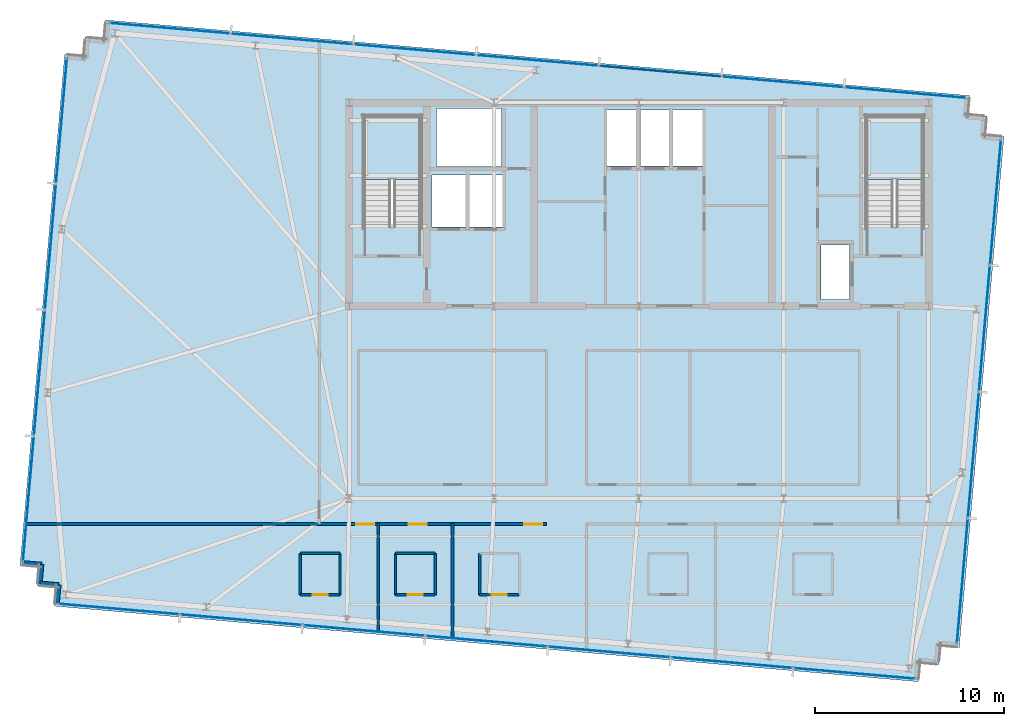
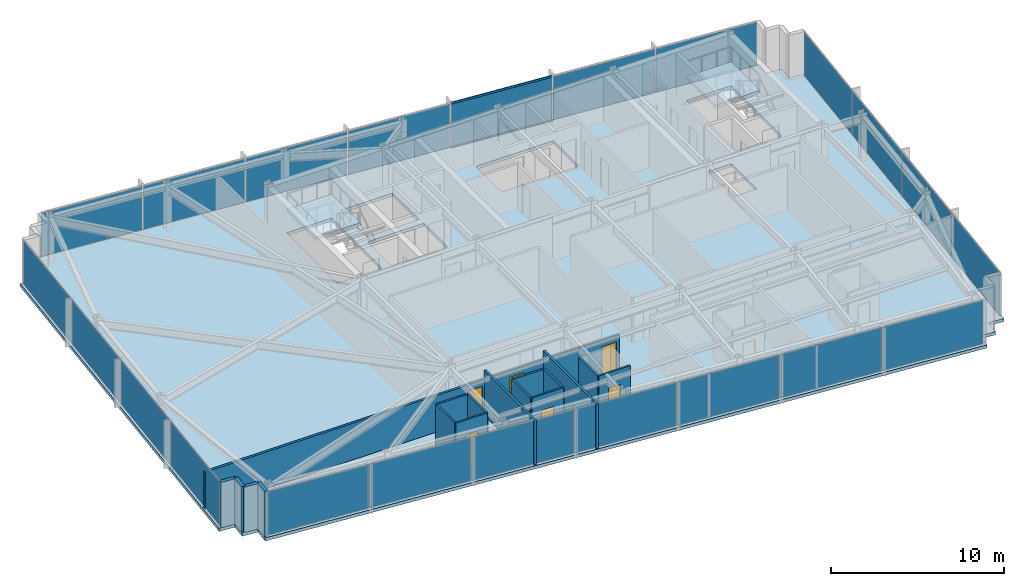
# One storey, part 26 of 33: 22 plates, 17 walls, 6 doors, 3 slabs, 2 members, 6 openings, 6 elements without a shape of their own.
"""IFC4 building model written with IfcOpenShell, lengths in metres."""

from ifc_helpers import new_model, si_unit, direction, frame, frame_2d, origin, origin_2d, place, context, subcontext, project, spatial, polyline, rectangle, hollow_rectangle, outline, extrude, material, layer, layer_set, material_profile, profile_set, type_object, element, fill, aggregate, save


model = new_model("IFC4")

# Units and contexts
model_context = context("Model", 3, precision=1e-05, world=origin(), true_north=direction((0.0, 1.0)))
body_context = subcontext(model_context, "Body", "Model", "MODEL_VIEW")
ifc_project = project(units=[si_unit("LENGTHUNIT", "METRE"), si_unit("AREAUNIT", "SQUARE_METRE"), si_unit("VOLUMEUNIT", "CUBIC_METRE"), si_unit("PLANEANGLEUNIT", "RADIAN"), si_unit("MASSUNIT", "GRAM", prefix="KILO")], contexts=[model_context])

# Site, building, storey
site_placement = place(None, origin())
site = spatial("IfcSite", under=ifc_project, at=site_placement, CompositionType="ELEMENT")
building_placement = place(site_placement, origin())
building = spatial("IfcBuilding", under=site, at=building_placement, Name="Yelkora Congress Tower", CompositionType="ELEMENT")
storey_placement = place(building_placement, frame((0.0, 0.0, 289.699951171875)))
storey = spatial("IfcBuildingStorey", under=building, at=storey_placement, Name="L81", CompositionType="ELEMENT", Elevation=289.699951171875)

# Curtain wall, members
ifc_material_1 = material(Name="Anodised aluminium and insulated glass", Category="aluminium")
curtain_wall_type = type_object("IfcCurtainWallType", Name="CW-SYS-B5", PredefinedType="NOTDEFINED", material=ifc_material_1)
curtain_wall_1_placement = place(storey_placement, origin())
curtain_wall_1 = element("IfcCurtainWall", 1, at=curtain_wall_1_placement, inside=storey, type_object=curtain_wall_type, Name="L81 Unitised Curtain Wall 10", PredefinedType="NOTDEFINED")
ifc_material_2 = material(Name="Anodised aluminium 6063-T6", Category="aluminium")
ifc_material_profile = material_profile(ifc_material_2, hollow_rectangle(XDim=0.06005859375, YDim=0.1298828125, WallThickness=0.00390625, at=origin_2d()), Name="ALU 60x130x4")
ifc_profile_set = profile_set([ifc_material_profile], Name="Anodised aluminium 6063-T6")
member_type = type_object("IfcMemberType", Name="MEM-TR-B5", PredefinedType="USERDEFINED", material=ifc_profile_set)
member_1_placement = place(storey_placement, frame((36.298583984375, 48.14794921875, 0.030029296875), z_axis=(0.996192979814, -0.08717538052, 0.0), x_axis=(0.08717538052, 0.996192979814, 0.0)))
member_1 = element("IfcMember", 2, at=member_1_placement, type_object=member_type, Name="CW-B5 transom 5.1", ObjectType="TRANSOM", PredefinedType="USERDEFINED", context=body_context, shape_type="SweptSolid", body=[
    extrude(hollow_rectangle(XDim=0.06005859375, YDim=0.1298828125, WallThickness=0.00390625, at=origin_2d()), origin(), (0.0, 0.0, 1.0), 6.466552734375),
])
member_2_placement = place(storey_placement, frame((36.298583984375, 48.14794921875, 3.150146484375), z_axis=(0.996192979814, -0.08717538052, 0.0), x_axis=(0.08717538052, 0.996192979814, 0.0)))
member_2 = element("IfcMember", 3, at=member_2_placement, type_object=member_type, Name="CW-B5 transom 5.2", ObjectType="TRANSOM", PredefinedType="USERDEFINED", context=body_context, shape_type="SweptSolid", body=[
    extrude(hollow_rectangle(XDim=0.06005859375, YDim=0.1298828125, WallThickness=0.00390625, at=origin_2d()), origin(), (0.0, 0.0, 1.0), 6.466552734375),
])

# Curtain wall, plates
curtain_wall_2_placement = place(storey_placement, origin())
curtain_wall_2 = element("IfcCurtainWall", 4, at=curtain_wall_2_placement, inside=storey, type_object=curtain_wall_type, Name="L81 Unitised Curtain Wall 5", PredefinedType="NOTDEFINED")
ifc_material_3 = material(Name="High-altitude triple glazed unit B5", Category="glass")
ifc_layer_1 = layer(ifc_material_3, 0.033935546875)
ifc_layer_set_1 = layer_set([ifc_layer_1], Name="High-altitude triple glazed unit B5")
plate_type = type_object("IfcPlateType", Name="PLT-PN-B5", PredefinedType="CURTAIN_PANEL", material=ifc_layer_set_1)
plate_1_placement = place(storey_placement, frame((6.021728515625, 25.16064453125, 0.06005859375), z_axis=(0.0, 0.0, 1.0), x_axis=(0.08715473876, 0.996194785929, 0.0)))
plate_1 = element("IfcPlate", 5, at=plate_1_placement, type_object=plate_type, Name="CW-B5 panel 1.1", PredefinedType="CURTAIN_PANEL", context=body_context, shape_type="SweptSolid", body=[
    extrude(rectangle(XDim=6.632568359375, YDim=0.033935546875, at=origin_2d()), origin(), (0.0, 0.0, 1.0), 3.06005859375),
])
plate_2_placement = place(storey_placement, frame((6.60693359375, 31.848876953125, 0.06005859375), z_axis=(0.0, 0.0, 1.0), x_axis=(0.08715473876, 0.996194785929, 0.0)))
plate_2 = element("IfcPlate", 6, at=plate_2_placement, type_object=plate_type, Name="CW-B5 panel 2.1", PredefinedType="CURTAIN_PANEL", context=body_context, shape_type="SweptSolid", body=[
    extrude(rectangle(XDim=6.6650390625, YDim=0.033935546875, at=origin_2d()), origin(), (0.0, 0.0, 1.0), 3.06005859375),
])
plate_3_placement = place(storey_placement, frame((7.193359375, 38.55322265625, 0.06005859375), z_axis=(0.0, 0.0, 1.0), x_axis=(0.08715473876, 0.996194785929, 0.0)))
plate_3 = element("IfcPlate", 7, at=plate_3_placement, type_object=plate_type, Name="CW-B5 panel 3.1", PredefinedType="CURTAIN_PANEL", context=body_context, shape_type="SweptSolid", body=[
    extrude(rectangle(XDim=6.6650390625, YDim=0.033935546875, at=origin_2d()), origin(), (0.0, 0.0, 1.0), 3.06005859375),
])
plate_4_placement = place(storey_placement, frame((7.778564453125, 45.2412109375, 0.06005859375), z_axis=(0.0, 0.0, 1.0), x_axis=(0.08715473876, 0.996194785929, 0.0)))
plate_4 = element("IfcPlate", 8, at=plate_4_placement, type_object=plate_type, Name="CW-B5 panel 4.1", PredefinedType="CURTAIN_PANEL", context=body_context, shape_type="SweptSolid", body=[
    extrude(rectangle(XDim=6.632568359375, YDim=0.033935546875, at=origin_2d()), origin(), (0.0, 0.0, 1.0), 3.06005859375),
])
aggregate(curtain_wall_2, [plate_1, plate_2, plate_3, plate_4])

# Plate
plate_5_placement = place(storey_placement, frame((13.509521484375, 50.141845703125, 0.06005859375), z_axis=(0.0, 0.0, 1.0), x_axis=(0.996194619601, -0.087156639893, 0.0)))
plate_5 = element("IfcPlate", 9, at=plate_5_placement, type_object=plate_type, Name="CW-B5 panel 1.1", PredefinedType="CURTAIN_PANEL", context=body_context, shape_type="SweptSolid", body=[
    extrude(rectangle(XDim=6.433837890625, YDim=0.033935546875, at=origin_2d()), origin(), (0.0, 0.0, 1.0), 3.06005859375),
])

plate_6_placement = place(storey_placement, frame((19.999755859375, 49.573974609375, 0.06005859375), z_axis=(0.0, 0.0, 1.0), x_axis=(0.996194619601, -0.087156639893, 0.0)))
plate_6 = element("IfcPlate", 10, at=plate_6_placement, type_object=plate_type, Name="CW-B5 panel 2.1", PredefinedType="CURTAIN_PANEL", context=body_context, shape_type="SweptSolid", body=[
    extrude(rectangle(XDim=6.46630859375, YDim=0.033935546875, at=origin_2d()), origin(), (0.0, 0.0, 1.0), 3.06005859375),
])

plate_7_placement = place(storey_placement, frame((26.50634765625, 49.004638671875, 0.06005859375), z_axis=(0.0, 0.0, 1.0), x_axis=(0.996194619601, -0.087156639893, 0.0)))
plate_7 = element("IfcPlate", 11, at=plate_7_placement, type_object=plate_type, Name="CW-B5 panel 3.1", PredefinedType="CURTAIN_PANEL", context=body_context, shape_type="SweptSolid", body=[
    extrude(rectangle(XDim=6.46630859375, YDim=0.033935546875, at=origin_2d()), origin(), (0.0, 0.0, 1.0), 3.06005859375),
])

plate_8_placement = place(storey_placement, frame((33.012939453125, 48.435302734375, 0.06005859375), z_axis=(0.0, 0.0, 1.0), x_axis=(0.996194619601, -0.087156639893, 0.0)))
plate_8 = element("IfcPlate", 12, at=plate_8_placement, type_object=plate_type, Name="CW-B5 panel 4.1", PredefinedType="CURTAIN_PANEL", context=body_context, shape_type="SweptSolid", body=[
    extrude(rectangle(XDim=6.46630859375, YDim=0.033935546875, at=origin_2d()), origin(), (0.0, 0.0, 1.0), 3.06005859375),
])

plate_9_placement = place(storey_placement, frame((39.51953125, 47.8662109375, 0.06005859375), z_axis=(0.0, 0.0, 1.0), x_axis=(0.996194619601, -0.087156639893, 0.0)))
plate_9 = element("IfcPlate", 13, at=plate_9_placement, type_object=plate_type, Name="CW-B5 panel 5.1", PredefinedType="CURTAIN_PANEL", context=body_context, shape_type="SweptSolid", body=[
    extrude(rectangle(XDim=6.46630859375, YDim=0.033935546875, at=origin_2d()), origin(), (0.0, 0.0, 1.0), 3.06005859375),
])

plate_10_placement = place(storey_placement, frame((46.026123046875, 47.296875, 0.06005859375), z_axis=(0.0, 0.0, 1.0), x_axis=(0.996194619601, -0.087156639893, 0.0)))
plate_10 = element("IfcPlate", 14, at=plate_10_placement, type_object=plate_type, Name="CW-B5 panel 6.1", PredefinedType="CURTAIN_PANEL", context=body_context, shape_type="SweptSolid", body=[
    extrude(rectangle(XDim=6.46630859375, YDim=0.033935546875, at=origin_2d()), origin(), (0.0, 0.0, 1.0), 3.06005859375),
])

plate_11_placement = place(storey_placement, frame((52.5166015625, 46.72900390625, 0.06005859375), z_axis=(0.0, 0.0, 1.0), x_axis=(0.996194619601, -0.087156639893, 0.0)))
plate_11 = element("IfcPlate", 15, at=plate_11_placement, type_object=plate_type, Name="CW-B5 panel 7.1", PredefinedType="CURTAIN_PANEL", context=body_context, shape_type="SweptSolid", body=[
    extrude(rectangle(XDim=6.433837890625, YDim=0.033935546875, at=origin_2d()), origin(), (0.0, 0.0, 1.0), 3.06005859375),
])

aggregate(curtain_wall_1, [plate_5, plate_6, plate_7, plate_8, member_1, member_2, plate_9, plate_10, plate_11])

# Curtain wall, plates
curtain_wall_3_placement = place(storey_placement, origin())
curtain_wall_3 = element("IfcCurtainWall", 16, at=curtain_wall_3_placement, inside=storey, type_object=curtain_wall_type, Name="L81 Unitised Curtain Wall 15", PredefinedType="NOTDEFINED")
plate_12_placement = place(storey_placement, frame((57.309326171875, 40.907958984375, 0.06005859375), z_axis=(0.0, 0.0, 1.0), x_axis=(-0.087158425264, -0.996194463398, 0.0)))
plate_12 = element("IfcPlate", 17, at=plate_12_placement, type_object=plate_type, Name="CW-B5 panel 1.1", PredefinedType="CURTAIN_PANEL", context=body_context, shape_type="SweptSolid", body=[
    extrude(rectangle(XDim=6.632568359375, YDim=0.033935546875, at=origin_2d()), origin(), (0.0, 0.0, 1.0), 3.06005859375),
])
plate_13_placement = place(storey_placement, frame((56.72412109375, 34.2197265625, 0.06005859375), z_axis=(0.0, 0.0, 1.0), x_axis=(-0.087158425264, -0.996194463398, 0.0)))
plate_13 = element("IfcPlate", 18, at=plate_13_placement, type_object=plate_type, Name="CW-B5 panel 2.1", PredefinedType="CURTAIN_PANEL", context=body_context, shape_type="SweptSolid", body=[
    extrude(rectangle(XDim=6.6650390625, YDim=0.033935546875, at=origin_2d()), origin(), (0.0, 0.0, 1.0), 3.06005859375),
])
plate_14_placement = place(storey_placement, frame((56.1376953125, 27.515380859375, 0.06005859375), z_axis=(0.0, 0.0, 1.0), x_axis=(-0.087158425264, -0.996194463398, 0.0)))
plate_14 = element("IfcPlate", 19, at=plate_14_placement, type_object=plate_type, Name="CW-B5 panel 3.1", PredefinedType="CURTAIN_PANEL", context=body_context, shape_type="SweptSolid", body=[
    extrude(rectangle(XDim=6.6650390625, YDim=0.033935546875, at=origin_2d()), origin(), (0.0, 0.0, 1.0), 3.06005859375),
])
plate_15_placement = place(storey_placement, frame((55.552490234375, 20.8271484375, 0.06005859375), z_axis=(0.0, 0.0, 1.0), x_axis=(-0.087158425264, -0.996194463398, 0.0)))
plate_15 = element("IfcPlate", 20, at=plate_15_placement, type_object=plate_type, Name="CW-B5 panel 4.1", PredefinedType="CURTAIN_PANEL", context=body_context, shape_type="SweptSolid", body=[
    extrude(rectangle(XDim=6.632568359375, YDim=0.033935546875, at=origin_2d()), origin(), (0.0, 0.0, 1.0), 3.06005859375),
])
aggregate(curtain_wall_3, [plate_12, plate_13, plate_14, plate_15])

curtain_wall_4_placement = place(storey_placement, origin())
curtain_wall_4 = element("IfcCurtainWall", 21, at=curtain_wall_4_placement, inside=storey, type_object=curtain_wall_type, Name="L81 Unitised Curtain Wall 20", PredefinedType="NOTDEFINED")
plate_16_placement = place(storey_placement, frame((49.821533203125, 15.9267578125, 0.06005859375), z_axis=(0.0, 0.0, 1.0), x_axis=(-0.996194602987, 0.087156829793, 0.0)))
plate_16 = element("IfcPlate", 22, at=plate_16_placement, type_object=plate_type, Name="CW-B5 panel 1.1", PredefinedType="CURTAIN_PANEL", context=body_context, shape_type="SweptSolid", body=[
    extrude(rectangle(XDim=6.433837890625, YDim=0.033935546875, at=origin_2d()), origin(), (0.0, 0.0, 1.0), 3.06005859375),
])
plate_17_placement = place(storey_placement, frame((43.331298828125, 16.49462890625, 0.06005859375), z_axis=(0.0, 0.0, 1.0), x_axis=(-0.996194602987, 0.087156829793, 0.0)))
plate_17 = element("IfcPlate", 23, at=plate_17_placement, type_object=plate_type, Name="CW-B5 panel 2.1", PredefinedType="CURTAIN_PANEL", context=body_context, shape_type="SweptSolid", body=[
    extrude(rectangle(XDim=6.46630859375, YDim=0.033935546875, at=origin_2d()), origin(), (0.0, 0.0, 1.0), 3.06005859375),
])
plate_18_placement = place(storey_placement, frame((36.82470703125, 17.06396484375, 0.06005859375), z_axis=(0.0, 0.0, 1.0), x_axis=(-0.996194602987, 0.087156829793, 0.0)))
plate_18 = element("IfcPlate", 24, at=plate_18_placement, type_object=plate_type, Name="CW-B5 panel 3.1", PredefinedType="CURTAIN_PANEL", context=body_context, shape_type="SweptSolid", body=[
    extrude(rectangle(XDim=6.46630859375, YDim=0.033935546875, at=origin_2d()), origin(), (0.0, 0.0, 1.0), 3.06005859375),
])
plate_19_placement = place(storey_placement, frame((30.318115234375, 17.633056640625, 0.06005859375), z_axis=(0.0, 0.0, 1.0), x_axis=(-0.996194602987, 0.087156829793, 0.0)))
plate_19 = element("IfcPlate", 25, at=plate_19_placement, type_object=plate_type, Name="CW-B5 panel 4.1", PredefinedType="CURTAIN_PANEL", context=body_context, shape_type="SweptSolid", body=[
    extrude(rectangle(XDim=6.46630859375, YDim=0.033935546875, at=origin_2d()), origin(), (0.0, 0.0, 1.0), 3.06005859375),
])
plate_20_placement = place(storey_placement, frame((23.8115234375, 18.202392578125, 0.06005859375), z_axis=(0.0, 0.0, 1.0), x_axis=(-0.996194602987, 0.087156829793, 0.0)))
plate_20 = element("IfcPlate", 26, at=plate_20_placement, type_object=plate_type, Name="CW-B5 panel 5.1", PredefinedType="CURTAIN_PANEL", context=body_context, shape_type="SweptSolid", body=[
    extrude(rectangle(XDim=6.46630859375, YDim=0.033935546875, at=origin_2d()), origin(), (0.0, 0.0, 1.0), 3.06005859375),
])
plate_21_placement = place(storey_placement, frame((17.304931640625, 18.771728515625, 0.06005859375), z_axis=(0.0, 0.0, 1.0), x_axis=(-0.996194602987, 0.087156829793, 0.0)))
plate_21 = element("IfcPlate", 27, at=plate_21_placement, type_object=plate_type, Name="CW-B5 panel 6.1", PredefinedType="CURTAIN_PANEL", context=body_context, shape_type="SweptSolid", body=[
    extrude(rectangle(XDim=6.46630859375, YDim=0.033935546875, at=origin_2d()), origin(), (0.0, 0.0, 1.0), 3.06005859375),
])
plate_22_placement = place(storey_placement, frame((10.814697265625, 19.33935546875, 0.06005859375), z_axis=(0.0, 0.0, 1.0), x_axis=(-0.996194602987, 0.087156829793, 0.0)))
plate_22 = element("IfcPlate", 28, at=plate_22_placement, type_object=plate_type, Name="CW-B5 panel 7.1", PredefinedType="CURTAIN_PANEL", context=body_context, shape_type="SweptSolid", body=[
    extrude(rectangle(XDim=6.433837890625, YDim=0.033935546875, at=origin_2d()), origin(), (0.0, 0.0, 1.0), 3.06005859375),
])
aggregate(curtain_wall_4, [plate_16, plate_17, plate_18, plate_19, plate_20, plate_21, plate_22])

# Stair, slab
ifc_material_4 = material(Name="Concrete C40/50", Category="concrete")
stair_type = type_object("IfcStairType", Name="STAIR-HT-1420-R20-170", PredefinedType="HALF_TURN_STAIR", material=ifc_material_4)
stair_1_placement = place(storey_placement, origin())
stair_1 = element("IfcStair", 29, at=stair_1_placement, inside=storey, type_object=stair_type, Name="West Core Protected Exit Stair ST-01 (L81)", PredefinedType="HALF_TURN_STAIR")
ifc_layer_2 = layer(ifc_material_4, 0.219970703125)
ifc_layer_set_2 = layer_set([ifc_layer_2], Name="Concrete C40/50")
slab_type_1 = type_object("IfcSlabType", Name="SLAB-LANDING-220", PredefinedType="LANDING", material=ifc_layer_set_2)
slab_1_placement = place(storey_placement, frame((0.0, 0.0, 1.47998046875)))
slab_1 = element("IfcSlab", 30, at=slab_1_placement, type_object=slab_type_1, Name="ST-01 L81 Half Landing 1", PredefinedType="LANDING", context=body_context, shape_type="SweptSolid", body=[
    extrude(outline(polyline([(26.820068359375, 42.1201171875), (26.820068359375, 45.469970703125), (23.820068359375, 45.469970703125), (23.820068359375, 42.1201171875), (26.820068359375, 42.1201171875)])), origin(), (0.0, 0.0, 1.0), 0.219970703125),
])
aggregate(stair_1, [slab_1])

stair_2_placement = place(storey_placement, origin())
stair_2 = element("IfcStair", 31, at=stair_2_placement, inside=storey, type_object=stair_type, Name="East Core Protected Exit Stair ST-02 (L81)", PredefinedType="HALF_TURN_STAIR")
slab_2_placement = place(storey_placement, frame((0.0, 0.0, 1.47998046875)))
slab_2 = element("IfcSlab", 32, at=slab_2_placement, type_object=slab_type_1, Name="ST-02 L81 Half Landing 1", PredefinedType="LANDING", context=body_context, shape_type="SweptSolid", body=[
    extrude(outline(polyline([(53.4599609375, 42.1201171875), (53.4599609375, 45.469970703125), (50.4599609375, 45.469970703125), (50.4599609375, 42.1201171875), (53.4599609375, 42.1201171875)])), origin(), (0.0, 0.0, 1.0), 0.219970703125),
])
aggregate(stair_2, [slab_2])

# Slab
ifc_layer_3 = layer(ifc_material_4, 0.219970703125)
ifc_layer_set_3 = layer_set([ifc_layer_3], Name="Concrete C40/50")
slab_type_2 = type_object("IfcSlabType", Name="SLAB-TWR-220", PredefinedType="FLOOR", material=ifc_layer_set_3)
slab_3_placement = place(storey_placement, frame((0.0, 0.0, -0.219970703125)))
element("IfcSlab", 33, at=slab_3_placement, inside=storey, type_object=slab_type_2, Name="L81 Structural Floor Slab", PredefinedType="FLOOR", context=body_context, shape_type="SweptSolid", body=[
    extrude(outline(polyline([(7.3935546875, 19.498291015625), (53.218505859375, 15.489013671875), (53.3056640625, 16.485107421875), (54.3017578125, 16.398193359375), (54.388916015625, 17.394287109375), (55.385009765625, 17.30712890625), (57.755859375, 44.403564453125), (56.759521484375, 44.49072265625), (56.8466796875, 45.487060546875), (55.8505859375, 45.57421875), (55.937744140625, 46.5703125), (10.11279296875, 50.57958984375), (10.025634765625, 49.583251953125), (9.029296875, 49.67041015625), (8.942138671875, 48.67431640625), (7.946044921875, 48.761474609375), (5.575439453125, 21.664794921875), (6.571533203125, 21.57763671875), (6.484619140625, 20.58154296875), (7.480712890625, 20.494384765625), (7.3935546875, 19.498291015625)]), holes=[polyline([(23.820068359375, 39.6298828125), (26.820068359375, 39.6298828125), (26.820068359375, 45.469970703125), (23.820068359375, 45.469970703125), (23.820068359375, 39.6298828125)]), polyline([(50.4599609375, 39.6298828125), (53.4599609375, 39.6298828125), (53.4599609375, 45.469970703125), (50.4599609375, 45.469970703125), (50.4599609375, 39.6298828125)]), polyline([(48.050048828125, 35.75), (49.550048828125, 35.75), (49.550048828125, 38.64990234375), (48.050048828125, 38.64990234375), (48.050048828125, 35.75)]), polyline([(36.64990234375, 42.85009765625), (41.800048828125, 42.85009765625), (41.800048828125, 45.800048828125), (36.64990234375, 45.800048828125), (36.64990234375, 42.85009765625)]), polyline([(27.419921875, 39.60009765625), (31.179931640625, 39.60009765625), (31.179931640625, 42.35009765625), (27.419921875, 42.35009765625), (27.419921875, 39.60009765625)]), polyline([(27.64990234375, 42.820068359375), (31.1201171875, 42.820068359375), (31.1201171875, 45.8798828125), (27.64990234375, 45.8798828125), (27.64990234375, 42.820068359375)])]), origin(), (0.0, 0.0, 1.0), 0.219970703125),
])

# Walls
ifc_layer_4 = layer(ifc_material_4, 0.239990234375)
ifc_layer_set_4 = layer_set([ifc_layer_4], Name="Concrete C40/50")
wall_type_1 = type_object("IfcWallType", Name="WALL-EXT-LIMESTONE-240", PredefinedType="SOLIDWALL", material=ifc_layer_set_4)
for number, where, z_axis, x_axis, name in (
    (34, (7.545166015625, 19.62548828125, 0.0), (0.0, 0.0, 1.0), (0.087166950281, 0.996193717496, 0.0), "L81 Serrated Corner Limestone Pier 1"),
    (35, (7.63232421875, 20.62158203125, 0.0), (0.0, 0.0, 1.0), (-0.996193717496, 0.087166950281, 0.0), "L81 Serrated Corner Limestone Pier 2"),
):
    element("IfcWall", number, at=place(storey_placement, frame(where, z_axis=z_axis, x_axis=x_axis)), inside=storey, type_object=wall_type_1, Name=name, PredefinedType="SOLIDWALL", context=body_context, shape_type="SweptSolid", body=[
        extrude(rectangle(XDim=1.0, YDim=0.239990234375, at=frame_2d((0.5, 0.0))), origin(), (0.0, 0.0, 1.0), 3.179931640625),
    ])
for number, where, z_axis, x_axis, name in (
    (36, (6.63623046875, 20.708740234375, 0.0), (0.0, 0.0, 1.0), (0.087145753297, 0.996195572005, 0.0), "L81 Serrated Corner Limestone Pier 3"),
    (37, (6.723388671875, 21.705078125, 0.0), (0.0, 0.0, 1.0), (-0.996195572005, 0.087145753297, 0.0), "L81 Serrated Corner Limestone Pier 4"),
):
    element("IfcWall", number, at=place(storey_placement, frame(where, z_axis=z_axis, x_axis=x_axis)), inside=storey, type_object=wall_type_1, Name=name, PredefinedType="SOLIDWALL", context=body_context, shape_type="SweptSolid", body=[
        extrude(rectangle(XDim=1.000244140625, YDim=0.239990234375, at=frame_2d((0.5, 0.0))), origin(), (0.0, 0.0, 1.0), 3.179931640625),
    ])
ifc_material_5 = material(Name="Moisture-resistant gypsum partition", Category="gypsum")
ifc_layer_5 = layer(ifc_material_5, 0.1201171875)
ifc_layer_set_5 = layer_set([ifc_layer_5], Name="Moisture-resistant gypsum partition")
wall_type_2 = type_object("IfcWallType", Name="WALL-INT-120-NR", PredefinedType="PARTITIONING", material=ifc_layer_set_5)
wall_1_placement = place(storey_placement, frame((20.43994140625, 22.300048828125, 0.0), z_axis=(0.0, 0.0, 1.0), x_axis=(1.0, 0.0, 0.0)))
element("IfcWall", 38, at=wall_1_placement, inside=storey, type_object=wall_type_2, Name="L81 Partition Wall 23", PredefinedType="PARTITIONING", context=body_context, shape_type="SweptSolid", body=[
    extrude(rectangle(XDim=2.10009765625, YDim=0.1201171875, at=frame_2d((1.050048828125, 0.0))), origin(), (0.0, 0.0, 1.0), 3.179931640625),
])
for number, where, z_axis, x_axis, name in (
    (39, (20.43994140625, 20.10009765625, 0.0), (0.0, 0.0, 1.0), (0.0, 1.0, 0.0), "L81 Partition Wall 24"),
    (40, (22.5400390625, 20.10009765625, 0.0), (0.0, 0.0, 1.0), (0.0, 1.0, 0.0), "L81 Partition Wall 25"),
):
    element("IfcWall", number, at=place(storey_placement, frame(where, z_axis=z_axis, x_axis=x_axis)), inside=storey, type_object=wall_type_2, Name=name, PredefinedType="PARTITIONING", context=body_context, shape_type="SweptSolid", body=[
        extrude(rectangle(XDim=2.199951171875, YDim=0.1201171875, at=frame_2d((1.10009765625, 0.0))), origin(), (0.0, 0.0, 1.0), 3.179931640625),
    ])

# Wall, opening, door
wall_2_placement = place(storey_placement, frame((20.43994140625, 20.10009765625, 0.0), z_axis=(0.0, 0.0, 1.0), x_axis=(1.0, 0.0, 0.0)))
wall_2 = element("IfcWall", 41, at=wall_2_placement, inside=storey, type_object=wall_type_2, Name="L81 Partition Wall 26", PredefinedType="PARTITIONING", context=body_context, shape_type="SweptSolid", body=[
    extrude(rectangle(XDim=2.10009765625, YDim=0.1201171875, at=frame_2d((1.050048828125, 0.0))), origin(), (0.0, 0.0, 1.0), 3.179931640625),
])
opening_1_placement = place(wall_2_placement, frame((0.64990234375, 0.0, 0.0)))
opening_1 = element("IfcOpeningElement", 42, at=opening_1_placement, cuts=wall_2, Name="Opening DR-080B", PredefinedType="OPENING", context=body_context, shape_type="SweptSolid", body=[
    extrude(rectangle(XDim=0.800048828125, YDim=2.10009765625, at=frame_2d((0.39990234375, 1.050048828125))), frame((0.0, 0.070068359375, 0.0), z_axis=(0.0, -1.0, 0.0), x_axis=(1.0, 0.0, 0.0)), (0.0, 0.0, 1.0), 0.14013671875),
])
ifc_material_6 = material(Name="Moisture-sealed en-suite timber door", Category="wood")
door_type_1 = type_object("IfcDoorType", Name="DOOR-BATH-800", OperationType="NOTDEFINED", PredefinedType="DOOR", material=ifc_material_6)
door_1_placement = place(opening_1_placement, origin())
door_1 = element("IfcDoor", 43, at=door_1_placement, inside=storey, type_object=door_type_1, Name="L81 En-suite Door 1", OperationType="SINGLE_SWING_RIGHT", OverallHeight=2.10009765625, OverallWidth=0.800048828125, PredefinedType="DOOR", context=body_context, shape_type="SweptSolid", body=[
    extrude(rectangle(XDim=0.800048828125, YDim=2.10009765625, at=frame_2d((0.39990234375, 1.050048828125))), frame((0.0, 0.02490234375, 0.0), z_axis=(0.0, -1.0, 0.0), x_axis=(1.0, 0.0, 0.0)), (0.0, 0.0, 1.0), 0.050048828125),
])
fill(opening_1, door_1)

# Walls
wall_3_placement = place(storey_placement, frame((25.492919921875, 22.300048828125, 0.0), z_axis=(0.0, 0.0, 1.0), x_axis=(1.0, 0.0, 0.0)))
element("IfcWall", 44, at=wall_3_placement, inside=storey, type_object=wall_type_2, Name="L81 Partition Wall 27", PredefinedType="PARTITIONING", context=body_context, shape_type="SweptSolid", body=[
    extrude(rectangle(XDim=2.10009765625, YDim=0.1201171875, at=frame_2d((1.050048828125, 0.0))), origin(), (0.0, 0.0, 1.0), 3.179931640625),
])
for number, where, z_axis, x_axis, name in (
    (45, (25.492919921875, 20.10009765625, 0.0), (0.0, 0.0, 1.0), (0.0, 1.0, 0.0), "L81 Partition Wall 28"),
    (46, (27.593017578125, 20.10009765625, 0.0), (0.0, 0.0, 1.0), (0.0, 1.0, 0.0), "L81 Partition Wall 29"),
):
    element("IfcWall", number, at=place(storey_placement, frame(where, z_axis=z_axis, x_axis=x_axis)), inside=storey, type_object=wall_type_2, Name=name, PredefinedType="PARTITIONING", context=body_context, shape_type="SweptSolid", body=[
        extrude(rectangle(XDim=2.199951171875, YDim=0.1201171875, at=frame_2d((1.10009765625, 0.0))), origin(), (0.0, 0.0, 1.0), 3.179931640625),
    ])

# Wall, opening, door
wall_4_placement = place(storey_placement, frame((25.492919921875, 20.10009765625, 0.0), z_axis=(0.0, 0.0, 1.0), x_axis=(1.0, 0.0, 0.0)))
wall_4 = element("IfcWall", 47, at=wall_4_placement, inside=storey, type_object=wall_type_2, Name="L81 Partition Wall 30", PredefinedType="PARTITIONING", context=body_context, shape_type="SweptSolid", body=[
    extrude(rectangle(XDim=2.10009765625, YDim=0.1201171875, at=frame_2d((1.050048828125, 0.0))), origin(), (0.0, 0.0, 1.0), 3.179931640625),
])
opening_2_placement = place(wall_4_placement, frame((0.64990234375, 0.0, 0.0)))
opening_2 = element("IfcOpeningElement", 48, at=opening_2_placement, cuts=wall_4, Name="Opening DR-080B", PredefinedType="OPENING", context=body_context, shape_type="SweptSolid", body=[
    extrude(rectangle(XDim=0.800048828125, YDim=2.10009765625, at=frame_2d((0.39990234375, 1.050048828125))), frame((0.0, 0.070068359375, 0.0), z_axis=(0.0, -1.0, 0.0), x_axis=(1.0, 0.0, 0.0)), (0.0, 0.0, 1.0), 0.14013671875),
])
door_2_placement = place(opening_2_placement, origin())
door_2 = element("IfcDoor", 49, at=door_2_placement, inside=storey, type_object=door_type_1, Name="L81 En-suite Door 2", OperationType="SINGLE_SWING_LEFT", OverallHeight=2.10009765625, OverallWidth=0.800048828125, PredefinedType="DOOR", context=body_context, shape_type="SweptSolid", body=[
    extrude(rectangle(XDim=0.800048828125, YDim=2.10009765625, at=frame_2d((0.39990234375, 1.050048828125))), frame((0.0, 0.02490234375, 0.0), z_axis=(0.0, -1.0, 0.0), x_axis=(1.0, 0.0, 0.0)), (0.0, 0.0, 1.0), 0.050048828125),
])
fill(opening_2, door_2)

# Wall
wall_5_placement = place(storey_placement, frame((29.949951171875, 20.10009765625, 0.0), z_axis=(0.0, 0.0, 1.0), x_axis=(0.0, 1.0, 0.0)))
element("IfcWall", 50, at=wall_5_placement, inside=storey, type_object=wall_type_2, Name="L81 Partition Wall 33", PredefinedType="PARTITIONING", context=body_context, shape_type="SweptSolid", body=[
    extrude(rectangle(XDim=2.199951171875, YDim=0.1201171875, at=frame_2d((1.10009765625, 0.0))), origin(), (0.0, 0.0, 1.0), 3.179931640625),
])

# Wall, opening, door
wall_6_placement = place(storey_placement, frame((29.949951171875, 20.10009765625, 0.0), z_axis=(0.0, 0.0, 1.0), x_axis=(1.0, 0.0, 0.0)))
wall_6 = element("IfcWall", 51, at=wall_6_placement, inside=storey, type_object=wall_type_2, Name="L81 Partition Wall 35", PredefinedType="PARTITIONING", context=body_context, shape_type="SweptSolid", body=[
    extrude(rectangle(XDim=2.10009765625, YDim=0.1201171875, at=frame_2d((1.050048828125, 0.0))), origin(), (0.0, 0.0, 1.0), 3.179931640625),
])
opening_3_placement = place(wall_6_placement, frame((0.64990234375, 0.0, 0.0)))
opening_3 = element("IfcOpeningElement", 52, at=opening_3_placement, cuts=wall_6, Name="Opening DR-080B", PredefinedType="OPENING", context=body_context, shape_type="SweptSolid", body=[
    extrude(rectangle(XDim=0.800048828125, YDim=2.10009765625, at=frame_2d((0.39990234375, 1.050048828125))), frame((0.0, 0.070068359375, 0.0), z_axis=(0.0, -1.0, 0.0), x_axis=(1.0, 0.0, 0.0)), (0.0, 0.0, 1.0), 0.14013671875),
])
door_3_placement = place(opening_3_placement, origin())
door_3 = element("IfcDoor", 53, at=door_3_placement, inside=storey, type_object=door_type_1, Name="L81 En-suite Door 3", OperationType="SINGLE_SWING_RIGHT", OverallHeight=2.10009765625, OverallWidth=0.800048828125, PredefinedType="DOOR", context=body_context, shape_type="SweptSolid", body=[
    extrude(rectangle(XDim=0.800048828125, YDim=2.10009765625, at=frame_2d((0.39990234375, 1.050048828125))), frame((0.0, 0.02490234375, 0.0), z_axis=(0.0, -1.0, 0.0), x_axis=(1.0, 0.0, 0.0)), (0.0, 0.0, 1.0), 0.050048828125),
])
fill(opening_3, door_3)

# Walls
ifc_material_7 = material(Name="Twin-stud fire-rated gypsum partition", Category="gypsum")
ifc_layer_6 = layer(ifc_material_7, 0.14990234375)
ifc_layer_set_6 = layer_set([ifc_layer_6], Name="Twin-stud fire-rated gypsum partition")
wall_type_3 = type_object("IfcWallType", Name="WALL-INT-150-R60", PredefinedType="PARTITIONING", material=ifc_layer_set_6)
wall_7_placement = place(storey_placement, frame((24.574951171875, 18.0751953125, 0.0), z_axis=(0.0, 0.0, 1.0), x_axis=(0.0, 1.0, 0.0)))
element("IfcWall", 54, at=wall_7_placement, inside=storey, type_object=wall_type_3, Name="L81 Partition Wall 31", PredefinedType="PARTITIONING", context=body_context, shape_type="SweptSolid", body=[
    extrude(rectangle(XDim=5.794921875, YDim=0.14990234375, at=frame_2d((2.8974609375, 0.0))), origin(), (0.0, 0.0, 1.0), 3.179931640625),
])
wall_8_placement = place(storey_placement, frame((28.510009765625, 17.73095703125, 0.0), z_axis=(0.0, 0.0, 1.0), x_axis=(0.0, 1.0, 0.0)))
element("IfcWall", 55, at=wall_8_placement, inside=storey, type_object=wall_type_3, Name="L81 Partition Wall 36", PredefinedType="PARTITIONING", context=body_context, shape_type="SweptSolid", body=[
    extrude(rectangle(XDim=6.13916015625, YDim=0.14990234375, at=frame_2d((3.069580078125, 0.0))), origin(), (0.0, 0.0, 1.0), 3.179931640625),
])

# Wall, openings, doors
wall_9_placement = place(storey_placement, frame((5.846923828125, 23.85009765625, 0.0), z_axis=(0.0, 0.0, 1.0), x_axis=(1.0, 0.0, 0.0)))
wall_9 = element("IfcWall", 56, at=wall_9_placement, inside=storey, type_object=wall_type_3, Name="L81 South Spine Wall West", PredefinedType="PARTITIONING", context=body_context, shape_type="SweptSolid", body=[
    extrude(rectangle(XDim=27.653076171875, YDim=0.14990234375, at=frame_2d((13.82666015625, 0.0))), origin(), (0.0, 0.0, 1.0), 2.574951171875),
])
opening_4_placement = place(wall_9_placement, frame((17.55810546875, 0.0, 0.0)))
opening_4 = element("IfcOpeningElement", 57, at=opening_4_placement, cuts=wall_9, Name="Opening DR-095F6", PredefinedType="OPENING", context=body_context, shape_type="SweptSolid", body=[
    extrude(rectangle(XDim=0.949951171875, YDim=2.14990234375, at=frame_2d((0.47509765625, 1.074951171875))), frame((0.0, 0.0849609375, 0.0), z_axis=(0.0, -1.0, 0.0), x_axis=(1.0, 0.0, 0.0)), (0.0, 0.0, 1.0), 0.169921875),
])
opening_5_placement = place(wall_9_placement, frame((20.335693359375, 0.0, 0.0)))
opening_5 = element("IfcOpeningElement", 58, at=opening_5_placement, cuts=wall_9, Name="Opening DR-095F6", PredefinedType="OPENING", context=body_context, shape_type="SweptSolid", body=[
    extrude(rectangle(XDim=0.949951171875, YDim=2.14990234375, at=frame_2d((0.47509765625, 1.074951171875))), frame((0.0, 0.0849609375, 0.0), z_axis=(0.0, -1.0, 0.0), x_axis=(1.0, 0.0, 0.0)), (0.0, 0.0, 1.0), 0.169921875),
])
opening_6_placement = place(wall_9_placement, frame((26.47314453125, 0.0, 0.0)))
opening_6 = element("IfcOpeningElement", 59, at=opening_6_placement, cuts=wall_9, Name="Opening DR-095F6", PredefinedType="OPENING", context=body_context, shape_type="SweptSolid", body=[
    extrude(rectangle(XDim=0.949951171875, YDim=2.14990234375, at=frame_2d((0.47509765625, 1.074951171875))), frame((0.0, 0.0849609375, 0.0), z_axis=(0.0, -1.0, 0.0), x_axis=(1.0, 0.0, 0.0)), (0.0, 0.0, 1.0), 0.169921875),
])
ifc_material_8 = material(Name="Acoustic oak-veneer fire door leaf", Category="wood")
door_type_2 = type_object("IfcDoorType", Name="DOOR-FD60-950", OperationType="NOTDEFINED", PredefinedType="DOOR", material=ifc_material_8)
door_4_placement = place(opening_4_placement, origin())
door_4 = element("IfcDoor", 60, at=door_4_placement, inside=storey, type_object=door_type_2, Name="L81 Diplomatic Suite 01 Entry Door", OperationType="SINGLE_SWING_LEFT", OverallHeight=2.14990234375, OverallWidth=0.949951171875, PredefinedType="DOOR", context=body_context, shape_type="SweptSolid", body=[
    extrude(rectangle(XDim=0.949951171875, YDim=2.14990234375, at=frame_2d((0.47509765625, 1.074951171875))), frame((0.0, 0.02490234375, 0.0), z_axis=(0.0, -1.0, 0.0), x_axis=(1.0, 0.0, 0.0)), (0.0, 0.0, 1.0), 0.050048828125),
])
fill(opening_4, door_4)
door_5_placement = place(opening_5_placement, origin())
door_5 = element("IfcDoor", 61, at=door_5_placement, inside=storey, type_object=door_type_2, Name="L81 Diplomatic Suite 02 Entry Door", OperationType="SINGLE_SWING_RIGHT", OverallHeight=2.14990234375, OverallWidth=0.949951171875, PredefinedType="DOOR", context=body_context, shape_type="SweptSolid", body=[
    extrude(rectangle(XDim=0.949951171875, YDim=2.14990234375, at=frame_2d((0.47509765625, 1.074951171875))), frame((0.0, 0.02490234375, 0.0), z_axis=(0.0, -1.0, 0.0), x_axis=(1.0, 0.0, 0.0)), (0.0, 0.0, 1.0), 0.050048828125),
])
fill(opening_5, door_5)
door_6_placement = place(opening_6_placement, origin())
door_6 = element("IfcDoor", 62, at=door_6_placement, inside=storey, type_object=door_type_2, Name="L81 Diplomatic Suite 03 Entry Door", OperationType="SINGLE_SWING_LEFT", OverallHeight=2.14990234375, OverallWidth=0.949951171875, PredefinedType="DOOR", context=body_context, shape_type="SweptSolid", body=[
    extrude(rectangle(XDim=0.949951171875, YDim=2.14990234375, at=frame_2d((0.47509765625, 1.074951171875))), frame((0.0, 0.02490234375, 0.0), z_axis=(0.0, -1.0, 0.0), x_axis=(1.0, 0.0, 0.0)), (0.0, 0.0, 1.0), 0.050048828125),
])
fill(opening_6, door_6)

save(model, "model.ifc")
